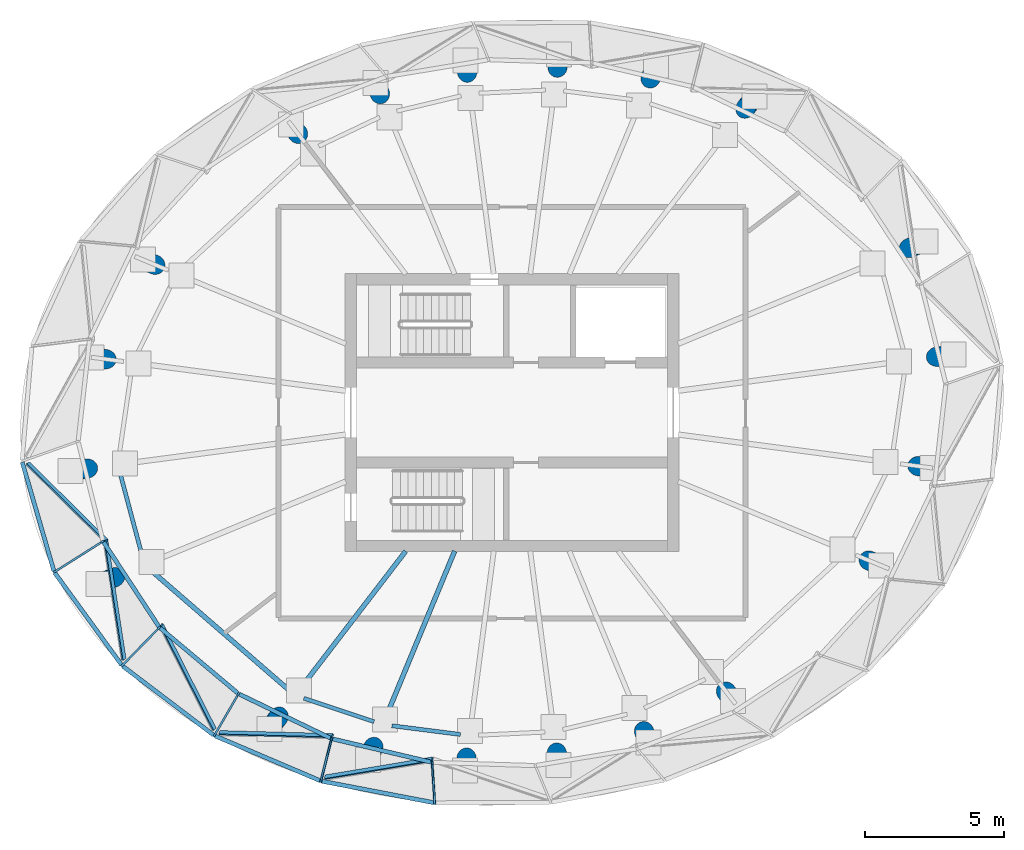
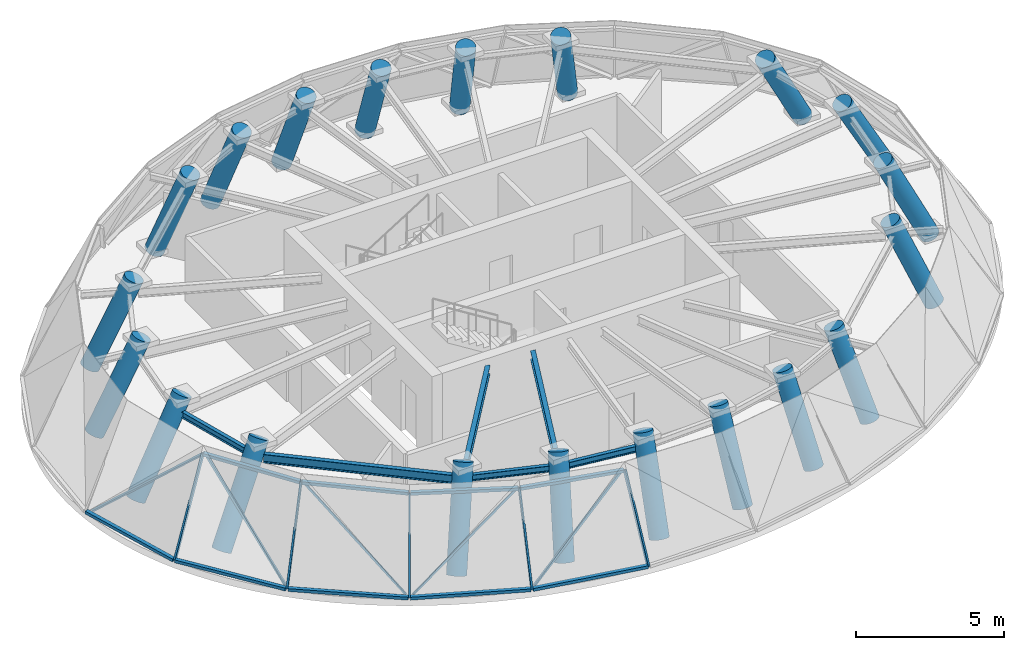
# One storey, part 1 of 9: 20 columns, 19 members, 6 beams, 10 elements without a shape of their own.
"""IFC4 building model written with IfcOpenShell, lengths in metres."""

import ifcopenshell
import ifcopenshell.guid

model = None  # the IFC model being written
_history = None  # IfcOwnerHistory: only IFC2X3 demands one
_inside = {}  # id of a spatial element -> (the spatial element, [elements in it])
_under = {}  # id of a project, library or spatial element -> (it, [spatial elements below it])
_declared = {}  # id of a project -> (the project, [libraries it declares])
_typed = {}  # id of a type object -> (the type object, [elements of that type])
_made_of = {}  # id of a material, layer set ... -> (it, [elements and type objects made of it])


def new_model(schema):
    """Start an empty IFC model of exactly this schema.

    Asked for "IFC4X3", IfcOpenShell would pick the latest addendum, in which some entities
    have other attributes; the version numbers below select the first issue.
    IFC2X3 requires an IfcOwnerHistory on every rooted entity: one is made here for all.
    """
    global model, _history
    if schema == "IFC4X3":
        model = ifcopenshell.file(schema_version=(4, 3, 0, 0))
    else:
        model = ifcopenshell.file(schema=schema)
    _inside.clear()
    _under.clear()
    _declared.clear()
    _typed.clear()
    _made_of.clear()
    _history = None
    if model.schema == "IFC2X3":
        org = make("IfcOrganization", Name="unknown")
        user = make(
            "IfcPersonAndOrganization",
            ThePerson=make("IfcPerson", FamilyName="unknown"),
            TheOrganization=org,
        )
        app = make(
            "IfcApplication",
            ApplicationDeveloper=org,
            Version="unknown",
            ApplicationFullName="unknown",
            ApplicationIdentifier="unknown",
        )
        _history = make(
            "IfcOwnerHistory",
            OwningUser=user,
            OwningApplication=app,
            ChangeAction="ADDED",
            CreationDate=0,
        )
    return model


def make(cls, **values):
    """One entity of the class cls with the attributes given. An attribute that is None is left unset."""
    return model.create_entity(
        cls, **{name: value for name, value in values.items() if value is not None}
    )


def rooted(cls, **values):
    """An entity with a GlobalId (a new one), such as an element, a storey or a relation."""
    return make(cls, GlobalId=ifcopenshell.guid.new(), OwnerHistory=_history, **values)


def si_unit(unit_type, name, prefix=None):
    """IfcSIUnit, for example si_unit("LENGTHUNIT", "METRE", prefix="MILLI")."""
    return make("IfcSIUnit", UnitType=unit_type, Prefix=prefix, Name=name)


def assignment(units):
    """IfcUnitAssignment: the units of a project."""
    return None if units is None else make("IfcUnitAssignment", Units=units)


def point(xyz):
    """IfcCartesianPoint."""
    return None if xyz is None else make("IfcCartesianPoint", Coordinates=xyz)


def direction(xyz):
    """IfcDirection."""
    return None if xyz is None else make("IfcDirection", DirectionRatios=xyz)


def frame(location, z_axis=None, x_axis=None):
    """IfcAxis2Placement3D, a coordinate frame: its origin and axes. An axis left out is left unset."""
    return make(
        "IfcAxis2Placement3D",
        Location=point(location),
        Axis=direction(z_axis),
        RefDirection=direction(x_axis),
    )


def frame_2d(location, x_axis=None):
    """IfcAxis2Placement2D, a coordinate frame in the plane: its origin and x axis."""
    return make(
        "IfcAxis2Placement2D", Location=point(location), RefDirection=direction(x_axis)
    )


def origin():
    """The frame at (0, 0, 0) with its axes left unset."""
    return frame((0.0, 0.0, 0.0))


def origin_2d():
    """The frame at (0, 0) in the plane with its x axis left unset."""
    return frame_2d((0.0, 0.0))


def place(relative_to, where):
    """IfcLocalPlacement: puts the frame where relative to a parent placement (None: the world)."""
    return make(
        "IfcLocalPlacement", PlacementRelTo=relative_to, RelativePlacement=where
    )


def context(
    kind, dimensions, precision=None, world=None, true_north=None, identifier=None
):
    """IfcGeometricRepresentationContext, for example the 3D "Model" context."""
    return make(
        "IfcGeometricRepresentationContext",
        ContextIdentifier=identifier,
        ContextType=kind,
        CoordinateSpaceDimension=dimensions,
        Precision=precision,
        WorldCoordinateSystem=world,
        TrueNorth=true_north,
    )


def subcontext(parent, identifier, kind, view, scale=None):
    """IfcGeometricRepresentationSubContext, for example "Body" below "Model"."""
    return make(
        "IfcGeometricRepresentationSubContext",
        ContextIdentifier=identifier,
        ContextType=kind,
        ParentContext=parent,
        TargetScale=scale,
        TargetView=view,
    )


def project(units=None, contexts=None):
    """IfcProject with its units and contexts."""
    return rooted(
        "IfcProject",
        Name="project",
        RepresentationContexts=contexts,
        UnitsInContext=assignment(units),
    )


def spatial(cls, under=None, at=None, **own):
    """A site, building, storey or space (cls), placed at a placement, below another one or the project."""
    s = rooted(cls, ObjectPlacement=at, **own)
    if under is not None:
        _under.setdefault(under.id(), (under, []))[1].append(s)
    return s


def profile(cls, at=None, kind="AREA", **sizes):
    """A parametric profile (cls). Its sizes go by their IFC names, for example OverallWidth=200.0."""
    return make(cls, ProfileType=kind, Position=at, **sizes)


def rectangle(**sizes):
    """IfcRectangleProfileDef."""
    return profile("IfcRectangleProfileDef", **sizes)


def circle(**sizes):
    """IfcCircleProfileDef."""
    return profile("IfcCircleProfileDef", **sizes)


def i_section(**sizes):
    """IfcIShapeProfileDef."""
    return profile("IfcIShapeProfileDef", **sizes)


def extrude(swept, where, along, depth):
    """IfcExtrudedAreaSolid: the profile swept, set in the frame where, extruded along a direction by depth."""
    return make(
        "IfcExtrudedAreaSolid",
        SweptArea=swept,
        Position=where,
        ExtrudedDirection=direction(along),
        Depth=depth,
    )


def shape(context_of_items, identifier, shape_type, items):
    """IfcShapeRepresentation: the items that make up one representation, for example the "Body"."""
    return make(
        "IfcShapeRepresentation",
        ContextOfItems=context_of_items,
        RepresentationIdentifier=identifier,
        RepresentationType=shape_type,
        Items=items,
    )


def source(mapping_origin, context_of_items, identifier, shape_type, items):
    """IfcRepresentationMap: a shape defined once, which mapped items show again and again."""
    return make(
        "IfcRepresentationMap",
        MappingOrigin=mapping_origin,
        MappedRepresentation=shape(context_of_items, identifier, shape_type, items),
    )


def transform(
    local_origin,
    x_axis=None,
    y_axis=None,
    z_axis=None,
    scale=None,
    scale2=None,
    scale3=None,
    uniform=True,
):
    """IfcCartesianTransformationOperator3D, or its non-uniform kind. x_axis, y_axis, z_axis: its Axis1, 2, 3."""
    if uniform:
        return make(
            "IfcCartesianTransformationOperator3D",
            Axis1=direction(x_axis),
            Axis2=direction(y_axis),
            LocalOrigin=point(local_origin),
            Scale=scale,
            Axis3=direction(z_axis),
        )
    return make(
        "IfcCartesianTransformationOperator3DnonUniform",
        Axis1=direction(x_axis),
        Axis2=direction(y_axis),
        LocalOrigin=point(local_origin),
        Scale=scale,
        Axis3=direction(z_axis),
        Scale2=scale2,
        Scale3=scale3,
    )


def mapped(mapping_source, mapping_target):
    """IfcMappedItem: shows the shape of a source again, moved by a transform."""
    return make(
        "IfcMappedItem", MappingSource=mapping_source, MappingTarget=mapping_target
    )


def material(Name=None, Category=None):
    """IfcMaterial."""
    return make("IfcMaterial", Name=Name, Category=Category)


def layer(
    of_material, thickness, ventilated=None, Name=None, Category=None, Priority=None
):
    """IfcMaterialLayer: one layer of a wall or slab, of a material (None: an air gap)."""
    return make(
        "IfcMaterialLayer",
        Material=of_material,
        LayerThickness=thickness,
        IsVentilated=ventilated,
        Name=Name,
        Category=Category,
        Priority=Priority,
    )


def layer_set(layers, Name=None):
    """IfcMaterialLayerSet."""
    return make("IfcMaterialLayerSet", MaterialLayers=layers, LayerSetName=Name)


def material_profile(
    of_material, cross_section, Name=None, Category=None, Priority=None
):
    """IfcMaterialProfile: a cross section and its material."""
    return make(
        "IfcMaterialProfile",
        Name=Name,
        Material=of_material,
        Profile=cross_section,
        Priority=Priority,
        Category=Category,
    )


def profile_set(profiles, Name=None, composite=None):
    """IfcMaterialProfileSet."""
    return make(
        "IfcMaterialProfileSet",
        Name=Name,
        MaterialProfiles=profiles,
        CompositeProfile=composite,
    )


def made_of(thing, what):
    """Note that an element or type object is made of a material, layer set ...; save() writes the relation."""
    if what is not None:
        _made_of.setdefault(what.id(), (what, []))[1].append(thing)
    return thing


def type_object(cls, material=None, **own):
    """A type object (cls), such as IfcWallType, which elements share."""
    return made_of(rooted(cls, **own), material)


def element(
    cls,
    number,
    at=None,
    inside=None,
    cuts=None,
    type_object=None,
    material=None,
    context=None,
    identifier="Body",
    shape_type=None,
    held_by="IfcProductDefinitionShape",
    body=None,
    shapes=None,
    **own,
):
    """One element of the class cls, such as IfcWall. Its Tag is "e" and its number.

    at: its placement. inside: the storey or other place that contains it. cuts: it is an
    opening in that element (IfcRelVoidsElement). A single representation is given by context,
    identifier, shape_type and body (its items); several are given by shapes. held_by: the class
    of the entity that holds the representations. save() writes the other relations.
    """
    e = rooted(cls, Tag="e%d" % number, ObjectPlacement=at, **own)
    if body is not None:
        shapes = [shape(context, identifier, shape_type, body)]
    if shapes is not None:
        e.Representation = make(held_by, Representations=shapes)
    if inside is not None:
        _inside.setdefault(inside.id(), (inside, []))[1].append(e)
    if cuts is not None:
        rooted(
            "IfcRelVoidsElement", RelatingBuildingElement=cuts, RelatedOpeningElement=e
        )
    if type_object is not None:
        _typed.setdefault(type_object.id(), (type_object, []))[1].append(e)
    return made_of(e, material)


def aggregate(whole, parts):
    """IfcRelAggregates: a whole, such as a stair, and the parts it consists of."""
    return rooted("IfcRelAggregates", RelatingObject=whole, RelatedObjects=parts)


def save(model, path):
    """Write the relations noted so far, then the file.

    IfcRelAggregates (storeys below a building ...), IfcRelContainedInSpatialStructure (elements
    in a storey), IfcRelDefinesByType, IfcRelAssociatesMaterial and IfcRelDeclares: one each for
    every whole, place, type object, material and project.
    """
    for whole, parts in _under.values():
        aggregate(whole, parts)
    for where, things in _inside.values():
        rooted(
            "IfcRelContainedInSpatialStructure",
            RelatedElements=things,
            RelatingStructure=where,
        )
    for kind, things in _typed.values():
        rooted("IfcRelDefinesByType", RelatedObjects=things, RelatingType=kind)
    for what, things in _made_of.values():
        rooted("IfcRelAssociatesMaterial", RelatedObjects=things, RelatingMaterial=what)
    for by, libraries in _declared.values():
        rooted("IfcRelDeclares", RelatingContext=by, RelatedDefinitions=libraries)
    model.write(path)


model = new_model("IFC4")

# Units and contexts
model_context = context("Model", 3, precision=1e-05, world=origin(), true_north=direction((0.0, 1.0)))
body_context = subcontext(model_context, "Body", "Model", "MODEL_VIEW")
ifc_project = project(units=[si_unit("LENGTHUNIT", "METRE"), si_unit("AREAUNIT", "SQUARE_METRE"), si_unit("VOLUMEUNIT", "CUBIC_METRE"), si_unit("PLANEANGLEUNIT", "RADIAN"), si_unit("MASSUNIT", "GRAM", prefix="KILO")], contexts=[model_context])

# Site, building, storey
site_placement = place(None, origin())
site = spatial("IfcSite", under=ifc_project, at=site_placement, CompositionType="ELEMENT")
building_placement = place(site_placement, origin())
building = spatial("IfcBuilding", under=site, at=building_placement, Name="Spindrift Exchange Tower", CompositionType="ELEMENT")
storey_placement = place(building_placement, frame((0.0, 0.0, 276.60009765625)))
storey = spatial("IfcBuildingStorey", under=building, at=storey_placement, Name="L68", CompositionType="ELEMENT", Elevation=276.60009765625)

# Columns
ifc_material_1 = material(Name="Concrete 40 MPa", Category="concrete")
ifc_material_profile_1 = material_profile(ifc_material_1, circle(Radius=0.35009765625, at=origin_2d()), Name="RC D700")
ifc_profile_set_1 = profile_set([ifc_material_profile_1], Name="Concrete 40 MPa")
column_type = type_object("IfcColumnType", Name="RC Perimeter Column D700 Concrete 40 MPa", PredefinedType="COLUMN", material=ifc_profile_set_1)
shared_shape_1 = source(origin(), body_context, "Body", "SweptSolid", [
    extrude(circle(Radius=0.35009765625, at=origin_2d()), origin(), (0.0, 0.0, 1.0), 4.014404296875),
])
for number, where, z_axis, x_axis, name in (
    (1, (67.87890625, 50.090576171875, 0.17431640625), (-0.48560488086, -0.063916184068, 0.871838643958), (0.13049626669, -0.991448800685, 0.0), "Perimeter column P6-01 L68"),
    (2, (36.12109375, 45.909423828125, 0.17431640625), (0.48560488086, 0.063916184068, 0.871838643958), (-0.13049626669, 0.991448800685, 0.0), "Perimeter column P6-13 L68"),
):
    element("IfcColumn", number, at=place(storey_placement, frame(where, z_axis=z_axis, x_axis=x_axis)), inside=storey, type_object=column_type, Name=name, PredefinedType="COLUMN", context=body_context, shape_type="MappedRepresentation", body=[
        mapped(shared_shape_1, transform((0.0, 0.0, 0.0), scale=1.0)),
    ])
shared_shape_2 = source(origin(), body_context, "Body", "SweptSolid", [
    extrude(circle(Radius=0.35009765625, at=origin_2d()), origin(), (0.0, 0.0, 1.0), 3.907958984375),
])
for number, where, z_axis, x_axis, name in (
    (3, (60.730224609375, 59.37744140625, 0.15869140625), (-0.270812901307, -0.352962604933, 0.895587947666), (0.793380296063, -0.608726297953, 0.0), "Perimeter column P6-04 L68"),
    (4, (43.269775390625, 36.62255859375, 0.15869140625), (0.270812901307, 0.352962604933, 0.895587947666), (-0.793380296063, 0.608726297953, 0.0), "Perimeter column P6-16 L68"),
):
    element("IfcColumn", number, at=place(storey_placement, frame(where, z_axis=z_axis, x_axis=x_axis)), inside=storey, type_object=column_type, Name=name, PredefinedType="COLUMN", context=body_context, shape_type="MappedRepresentation", body=[
        mapped(shared_shape_2, transform((0.0, 0.0, 0.0), scale=1.0)),
    ])
shared_shape_3 = source(origin(), body_context, "Body", "SweptSolid", [
    extrude(circle(Radius=0.35009765625, at=origin_2d()), origin(), (0.0, 0.0, 1.0), 3.784423828125),
])
for number, where, z_axis, x_axis, name in (
    (5, (53.6953125, 60.877197265625, 0.135986328125), (-0.049674543277, -0.377074942147, 0.924849678464), (0.99143407694, -0.130608081992, 0.0), "Perimeter column P6-06 L68"),
    (6, (50.3046875, 35.122802734375, 0.135986328125), (0.049674543277, 0.377074942147, 0.924849678464), (-0.99143407694, 0.130608081992, 0.0), "Perimeter column P6-18 L68"),
):
    element("IfcColumn", number, at=place(storey_placement, frame(where, z_axis=z_axis, x_axis=x_axis)), inside=storey, type_object=column_type, Name=name, PredefinedType="COLUMN", context=body_context, shape_type="MappedRepresentation", body=[
        mapped(shared_shape_3, transform((0.0, 0.0, 0.0), scale=1.0)),
    ])
shared_shape_4 = source(origin(), body_context, "Body", "SweptSolid", [
    extrude(circle(Radius=0.35009765625, at=origin_2d()), origin(), (0.0, 0.0, 1.0), 3.75927734375),
])
for number, where, z_axis, x_axis, name in (
    (7, (50.331298828125, 60.676025390625, 0.130615234375), (0.047605122797, -0.361746976777, 0.93106008242), (0.991451871974, 0.130472930369, 0.0), "Perimeter column P6-07 L68"),
    (8, (53.668701171875, 35.323974609375, 0.130615234375), (-0.047605122797, 0.361746976777, 0.93106008242), (-0.991451871974, -0.130472930369, 0.0), "Perimeter column P6-19 L68"),
):
    element("IfcColumn", number, at=place(storey_placement, frame(where, z_axis=z_axis, x_axis=x_axis)), inside=storey, type_object=column_type, Name=name, PredefinedType="COLUMN", context=body_context, shape_type="MappedRepresentation", body=[
        mapped(shared_shape_4, transform((0.0, 0.0, 0.0), scale=1.0)),
    ])
shared_shape_5 = source(origin(), body_context, "Body", "SweptSolid", [
    extrude(circle(Radius=0.35009765625, at=origin_2d()), origin(), (0.0, 0.0, 1.0), 3.746826171875),
])
for number, where, z_axis, x_axis, name in (
    (9, (47.086181640625, 59.863037109375, 0.127685546875), (0.136577604612, -0.329715018769, 0.934149112464), (0.923874408562, 0.38269580244, 0.0), "Perimeter column P6-08 L68"),
    (10, (56.913818359375, 36.136962890625, 0.127685546875), (-0.136577604612, 0.329715018769, 0.934149112464), (-0.923874408562, -0.38269580244, 0.0), "Perimeter column P6-20 L68"),
):
    element("IfcColumn", number, at=place(storey_placement, frame(where, z_axis=z_axis, x_axis=x_axis)), inside=storey, type_object=column_type, Name=name, PredefinedType="COLUMN", context=body_context, shape_type="MappedRepresentation", body=[
        mapped(shared_shape_5, transform((0.0, 0.0, 0.0), scale=1.0)),
    ])
shared_shape_6 = source(origin(), body_context, "Body", "SweptSolid", [
    extrude(circle(Radius=0.35009765625, at=origin_2d()), origin(), (0.0, 0.0, 1.0), 3.73876953125),
])
for number, where, z_axis, x_axis, name in (
    (11, (44.04443359375, 58.367919921875, 0.1259765625), (0.21405361087, -0.278961874812, 0.936141722217), (0.793355214176, 0.608758986907, 0.0), "Perimeter column P6-09 L68"),
    (12, (59.95556640625, 37.632080078125, 0.1259765625), (-0.21405361087, 0.278961874812, 0.936141722217), (-0.793355214176, -0.608758986907, 0.0), "Perimeter column P6-21 L68"),
):
    element("IfcColumn", number, at=place(storey_placement, frame(where, z_axis=z_axis, x_axis=x_axis)), inside=storey, type_object=column_type, Name=name, PredefinedType="COLUMN", context=body_context, shape_type="MappedRepresentation", body=[
        mapped(shared_shape_6, transform((0.0, 0.0, 0.0), scale=1.0)),
    ])
shared_shape_7 = source(origin(), body_context, "Body", "SweptSolid", [
    extrude(circle(Radius=0.35009765625, at=origin_2d()), origin(), (0.0, 0.0, 1.0), 3.807373046875),
])
for number, where, z_axis, x_axis, name in (
    (13, (38.717529296875, 53.501708984375, 0.140625), (0.363645996148, -0.150626775693, 0.919278610613), (0.382682721486, 0.923879826967, 0.0), "Perimeter column P6-11 L68"),
    (14, (65.282470703125, 42.498291015625, 0.140625), (-0.363645996148, 0.150626775693, 0.919278610613), (-0.382682721486, -0.923879826967, 0.0), "Perimeter column P6-23 L68"),
):
    element("IfcColumn", number, at=place(storey_placement, frame(where, z_axis=z_axis, x_axis=x_axis)), inside=storey, type_object=column_type, Name=name, PredefinedType="COLUMN", context=body_context, shape_type="MappedRepresentation", body=[
        mapped(shared_shape_7, transform((0.0, 0.0, 0.0), scale=1.0)),
    ])
shared_shape_8 = source(origin(), body_context, "Body", "SweptSolid", [
    extrude(circle(Radius=0.35009765625, at=origin_2d()), origin(), (0.0, 0.0, 1.0), 3.898193359375),
])
for number, where, z_axis, x_axis, name in (
    (15, (36.863525390625, 49.99267578125, 0.156982421875), (0.436578084577, -0.057429651923, 0.897831504876), (0.130421400619, 0.991458651816, 0.0), "Perimeter column P6-12 L68"),
    (16, (67.136474609375, 46.00732421875, 0.156982421875), (-0.436578084577, 0.057429651923, 0.897831504876), (-0.130421400619, -0.991458651816, 0.0), "Perimeter column P6-24 L68"),
):
    element("IfcColumn", number, at=place(storey_placement, frame(where, z_axis=z_axis, x_axis=x_axis)), inside=storey, type_object=column_type, Name=name, PredefinedType="COLUMN", context=body_context, shape_type="MappedRepresentation", body=[
        mapped(shared_shape_8, transform((0.0, 0.0, 0.0), scale=1.0)),
    ])
shared_shape_9 = source(origin(), body_context, "Body", "SweptSolid", [
    extrude(circle(Radius=0.35009765625, at=origin_2d()), origin(), (0.0, 0.0, 1.0), 4.069580078125),
])
for number, where, z_axis, x_axis, name in (
    (17, (66.88330078125, 54.164794921875, 0.181396484375), (-0.471365631204, -0.195217483001, 0.86006079788), (0.382635660379, -0.923899318869, 0.0), "Perimeter column P6-02 L68"),
    (18, (37.11669921875, 41.835205078125, 0.181396484375), (0.471365631204, 0.195217483001, 0.86006079788), (-0.382635660379, 0.923899318869, 0.0), "Perimeter column P6-14 L68"),
):
    element("IfcColumn", number, at=place(storey_placement, frame(where, z_axis=z_axis, x_axis=x_axis)), inside=storey, type_object=column_type, Name=name, PredefinedType="COLUMN", context=body_context, shape_type="MappedRepresentation", body=[
        mapped(shared_shape_9, transform((0.0, 0.0, 0.0), scale=1.0)),
    ])
shared_shape_10 = source(origin(), body_context, "Body", "SweptSolid", [
    extrude(circle(Radius=0.35009765625, at=origin_2d()), origin(), (0.0, 0.0, 1.0), 3.833740234375),
])
for number, where, z_axis, x_axis, name in (
    (19, (57.174560546875, 60.4921875, 0.145751953125), (-0.156215845153, -0.376943166515, 0.912967939712), (0.923809441409, -0.382852603443, 0.0), "Perimeter column P6-05 L68"),
    (20, (46.825439453125, 35.5078125, 0.145751953125), (0.156215845153, 0.376943166515, 0.912967939712), (-0.923809441409, 0.382852603443, 0.0), "Perimeter column P6-17 L68"),
):
    element("IfcColumn", number, at=place(storey_placement, frame(where, z_axis=z_axis, x_axis=x_axis)), inside=storey, type_object=column_type, Name=name, PredefinedType="COLUMN", context=body_context, shape_type="MappedRepresentation", body=[
        mapped(shared_shape_10, transform((0.0, 0.0, 0.0), scale=1.0)),
    ])

# Beams
ifc_material_2 = material(Name="Steel Grade 300", Category="steel")
ifc_material_profile_2 = material_profile(ifc_material_2, i_section(OverallWidth=0.172119140625, OverallDepth=0.35888671875, WebThickness=0.008056640625, FlangeThickness=0.012939453125, FilletRadius=0.013916015625, at=origin_2d()), Name="360UB56.7")
ifc_profile_set_2 = profile_set([ifc_material_profile_2], Name="Steel Grade 300")
beam_type_1 = type_object("IfcBeamType", Name="Floor Beam 360UB56.7 Steel Grade 300", PredefinedType="BEAM", material=ifc_profile_set_2)
shared_shape_11 = source(origin(), body_context, "Body", "SweptSolid", [
    extrude(i_section(OverallWidth=0.172119140625, OverallDepth=0.35888671875, WebThickness=0.008056640625, FlangeThickness=0.012939453125, FilletRadius=0.013916015625, at=origin_2d()), origin(), (0.0, 0.0, 1.0), 6.207763671875),
])
beam_1_placement = place(storey_placement, frame((48.175537109375, 43.015869140625, 3.040283203125), z_axis=(-0.608754316666, -0.793358797733, 0.0), x_axis=(0.793358797733, -0.608754316666, 0.0)))
element("IfcBeam", 21, at=beam_1_placement, inside=storey, type_object=beam_type_1, Name="L68 radial beam R16A", PredefinedType="BEAM", context=body_context, shape_type="MappedRepresentation", body=[
    mapped(shared_shape_11, transform((0.0, 0.0, 0.0), scale=1.0)),
])
shared_shape_12 = source(origin(), body_context, "Body", "SweptSolid", [
    extrude(i_section(OverallWidth=0.172119140625, OverallDepth=0.35888671875, WebThickness=0.008056640625, FlangeThickness=0.012939453125, FilletRadius=0.013916015625, at=origin_2d()), origin(), (0.0, 0.0, 1.0), 6.425537109375),
])
beam_2_placement = place(storey_placement, frame((49.9365234375, 43.0185546875, 3.040283203125), z_axis=(-0.382682881608, -0.923879760642, 0.0), x_axis=(0.923879760642, -0.382682881608, 0.0)))
element("IfcBeam", 22, at=beam_2_placement, inside=storey, type_object=beam_type_1, Name="L68 radial beam R17A", PredefinedType="BEAM", context=body_context, shape_type="MappedRepresentation", body=[
    mapped(shared_shape_12, transform((0.0, 0.0, 0.0), scale=1.0)),
])
ifc_material_profile_3 = material_profile(ifc_material_2, i_section(OverallWidth=0.14599609375, OverallDepth=0.251953125, WebThickness=0.006103515625, FlangeThickness=0.008544921875, FilletRadius=0.011962890625, at=origin_2d()), Name="250UB31.4")
ifc_profile_set_3 = profile_set([ifc_material_profile_3], Name="Steel Grade 300")
beam_type_2 = type_object("IfcBeamType", Name="Edge Beam 250UB31.4 Steel Grade 300", PredefinedType="SPANDREL", material=ifc_profile_set_3)
shared_shape_13 = source(origin(), body_context, "Body", "SweptSolid", [
    extrude(i_section(OverallWidth=0.14599609375, OverallDepth=0.251953125, WebThickness=0.006103515625, FlangeThickness=0.008544921875, FilletRadius=0.011962890625, at=origin_2d()), origin(), (0.0, 0.0, 1.0), 3.074462890625),
])
beam_3_placement = place(storey_placement, frame((37.902587890625, 45.81396484375, 3.093994140625), z_axis=(0.258235926839, -0.96608188374, 0.0), x_axis=(0.96608188374, 0.258235926839, 0.0)))
element("IfcBeam", 23, at=beam_3_placement, inside=storey, type_object=beam_type_2, Name="L68 edge beam E13", PredefinedType="SPANDREL", context=body_context, shape_type="MappedRepresentation", body=[
    mapped(shared_shape_13, transform((0.0, 0.0, 0.0), scale=1.0)),
])
ifc_material_profile_4 = material_profile(ifc_material_2, i_section(OverallWidth=0.172119140625, OverallDepth=0.35888671875, WebThickness=0.008056640625, FlangeThickness=0.012939453125, FilletRadius=0.013916015625, at=origin_2d()), Name="360UB56.7")
ifc_profile_set_4 = profile_set([ifc_material_profile_4], Name="Steel Grade 300")
beam_type_3 = type_object("IfcBeamType", Name="Edge Beam 360UB56.7 Steel Grade 300", PredefinedType="SPANDREL", material=ifc_profile_set_4)
shared_shape_14 = source(origin(), body_context, "Body", "SweptSolid", [
    extrude(i_section(OverallWidth=0.172119140625, OverallDepth=0.35888671875, WebThickness=0.008056640625, FlangeThickness=0.012939453125, FilletRadius=0.013916015625, at=origin_2d()), origin(), (0.0, 0.0, 1.0), 6.506591796875),
])
beam_4_placement = place(storey_placement, frame((39.031005859375, 42.30859375, 3.040283203125), z_axis=(0.755421607244, -0.655239036771, 0.0), x_axis=(0.655239036771, 0.755421607244, 0.0)))
element("IfcBeam", 24, at=beam_4_placement, inside=storey, type_object=beam_type_3, Name="L68 edge beam E14", PredefinedType="SPANDREL", context=body_context, shape_type="MappedRepresentation", body=[
    mapped(shared_shape_14, transform((0.0, 0.0, 0.0), scale=1.0)),
])
shared_shape_15 = source(origin(), body_context, "Body", "SweptSolid", [
    extrude(i_section(OverallWidth=0.14599609375, OverallDepth=0.251953125, WebThickness=0.006103515625, FlangeThickness=0.008544921875, FilletRadius=0.011962890625, at=origin_2d()), origin(), (0.0, 0.0, 1.0), 2.666748046875),
])
beam_5_placement = place(storey_placement, frame((44.508544921875, 37.724609375, 3.093994140625), z_axis=(0.948683298051, -0.316227766017, 0.0), x_axis=(0.316227766017, 0.948683298051, 0.0)))
element("IfcBeam", 25, at=beam_5_placement, inside=storey, type_object=beam_type_2, Name="L68 edge beam E16", PredefinedType="SPANDREL", context=body_context, shape_type="MappedRepresentation", body=[
    mapped(shared_shape_15, transform((0.0, 0.0, 0.0), scale=1.0)),
])
shared_shape_16 = source(origin(), body_context, "Body", "SweptSolid", [
    extrude(i_section(OverallWidth=0.14599609375, OverallDepth=0.251953125, WebThickness=0.006103515625, FlangeThickness=0.008544921875, FilletRadius=0.011962890625, at=origin_2d()), origin(), (0.0, 0.0, 1.0), 2.48388671875),
])
beam_6_placement = place(storey_placement, frame((47.6787109375, 36.7353515625, 3.093994140625), z_axis=(0.992004848467, -0.126199764731, 0.0), x_axis=(0.126199764731, 0.992004848467, 0.0)))
element("IfcBeam", 26, at=beam_6_placement, inside=storey, type_object=beam_type_2, Name="L68 edge beam E17", PredefinedType="SPANDREL", context=body_context, shape_type="MappedRepresentation", body=[
    mapped(shared_shape_16, transform((0.0, 0.0, 0.0), scale=1.0)),
])

# Curtain wall, member
ifc_material_3 = material(Name="Fritted laminated glass with bronze frame", Category="glass")
ifc_layer = layer(ifc_material_3, 0.14990234375)
ifc_layer_set = layer_set([ifc_layer], Name="CROWN BRONZE RAKED GLAZED WALL")
curtain_wall_type = type_object("IfcCurtainWallType", Name="CROWN BRONZE RAKED GLAZED WALL", PredefinedType="NOTDEFINED", material=ifc_layer_set)
curtain_wall_1_placement = place(storey_placement, origin())
curtain_wall_1 = element("IfcCurtainWall", 27, at=curtain_wall_1_placement, inside=storey, type_object=curtain_wall_type, Name="L68 Crown Bronze Raked Glazed Wall facet 25", PredefinedType="NOTDEFINED")
ifc_material_4 = material(Name="Bronze anodised aluminium", Category="aluminium")
ifc_material_profile_5 = material_profile(ifc_material_4, rectangle(XDim=0.14990234375, YDim=0.1201171875, at=origin_2d()), Name="CROWN BRONZE RAKED GLAZED WALL TRANSOM 150X120")
ifc_profile_set_5 = profile_set([ifc_material_profile_5], Name="Bronze anodised aluminium")
member_type_1 = type_object("IfcMemberType", Name="CROWN BRONZE RAKED GLAZED WALL TRANSOM 150X120", PredefinedType="USERDEFINED", material=ifc_profile_set_5)
shared_shape_17 = source(origin(), body_context, "Body", "SweptSolid", [
    extrude(rectangle(XDim=0.14990234375, YDim=0.1201171875, at=origin_2d()), origin(), (0.0, 0.0, 1.0), 4.083740234375),
])
member_1_placement = place(storey_placement, frame((34.38037109375, 46.218505859375, 0.059814453125), z_axis=(0.279187231676, -0.960236684193, 0.0), x_axis=(0.960236684193, 0.279187231676, 0.0)))
member_1 = element("IfcMember", 28, at=member_1_placement, type_object=member_type_1, Name="L68 transom CW-R.13a", ObjectType="TRANSOM", PredefinedType="USERDEFINED", context=body_context, shape_type="MappedRepresentation", body=[
    mapped(shared_shape_17, transform((0.0, 0.0, 0.0), scale=1.0)),
])

curtain_wall_2_placement = place(storey_placement, origin())
curtain_wall_2 = element("IfcCurtainWall", 29, at=curtain_wall_2_placement, inside=storey, type_object=curtain_wall_type, Name="L68 Crown Bronze Raked Glazed Wall facet 27", PredefinedType="NOTDEFINED")
shared_shape_18 = source(origin(), body_context, "Body", "SweptSolid", [
    extrude(rectangle(XDim=0.14990234375, YDim=0.1201171875, at=origin_2d()), origin(), (0.0, 0.0, 1.0), 4.0888671875),
])
member_2_placement = place(storey_placement, frame((37.9521484375, 38.92578125, 0.059814453125), z_axis=(-0.587305084769, 0.809365638883, 0.0), x_axis=(-0.809365638883, -0.587305084769, 0.0)))
member_2 = element("IfcMember", 30, at=member_2_placement, type_object=member_type_1, Name="L68 transom CW-R.14a", ObjectType="TRANSOM", PredefinedType="USERDEFINED", context=body_context, shape_type="MappedRepresentation", body=[
    mapped(shared_shape_18, transform((0.0, 0.0, 0.0), scale=1.0)),
])

curtain_wall_3_placement = place(storey_placement, origin())
curtain_wall_3 = element("IfcCurtainWall", 31, at=curtain_wall_3_placement, inside=storey, type_object=curtain_wall_type, Name="L68 Crown Bronze Raked Glazed Wall facet 29", PredefinedType="NOTDEFINED")
shared_shape_19 = source(origin(), body_context, "Body", "SweptSolid", [
    extrude(rectangle(XDim=0.14990234375, YDim=0.1201171875, at=origin_2d()), origin(), (0.0, 0.0, 1.0), 4.09423828125),
])
member_3_placement = place(storey_placement, frame((41.262451171875, 36.40185546875, 0.059814453125), z_axis=(-0.796718002417, 0.604351242759, 0.0), x_axis=(-0.604351242759, -0.796718002417, 0.0)))
member_3 = element("IfcMember", 32, at=member_3_placement, type_object=member_type_1, Name="L68 transom CW-R.15a", ObjectType="TRANSOM", PredefinedType="USERDEFINED", context=body_context, shape_type="MappedRepresentation", body=[
    mapped(shared_shape_19, transform((0.0, 0.0, 0.0), scale=1.0)),
])

curtain_wall_4_placement = place(storey_placement, origin())
curtain_wall_4 = element("IfcCurtainWall", 33, at=curtain_wall_4_placement, inside=storey, type_object=curtain_wall_type, Name="L68 Crown Bronze Raked Glazed Wall facet 31", PredefinedType="NOTDEFINED")
shared_shape_20 = source(origin(), body_context, "Body", "SweptSolid", [
    extrude(rectangle(XDim=0.14990234375, YDim=0.1201171875, at=origin_2d()), origin(), (0.0, 0.0, 1.0), 4.097900390625),
])
member_4_placement = place(storey_placement, frame((41.322509765625, 36.366943359375, 0.059814453125), z_axis=(0.91998419877, -0.391955449016, 0.0), x_axis=(0.391955449016, 0.91998419877, 0.0)))
member_4 = element("IfcMember", 34, at=member_4_placement, type_object=member_type_1, Name="L68 transom CW-R.16a", ObjectType="TRANSOM", PredefinedType="USERDEFINED", context=body_context, shape_type="MappedRepresentation", body=[
    mapped(shared_shape_20, transform((0.0, 0.0, 0.0), scale=1.0)),
])

curtain_wall_5_placement = place(storey_placement, origin())
curtain_wall_5 = element("IfcCurtainWall", 35, at=curtain_wall_5_placement, inside=storey, type_object=curtain_wall_type, Name="L68 Crown Bronze Raked Glazed Wall facet 33", PredefinedType="NOTDEFINED")
shared_shape_21 = source(origin(), body_context, "Body", "SweptSolid", [
    extrude(rectangle(XDim=0.14990234375, YDim=0.1201171875, at=origin_2d()), origin(), (0.0, 0.0, 1.0), 4.099609375),
])
member_5_placement = place(storey_placement, frame((45.1591796875, 34.740478515625, 0.059814453125), z_axis=(0.982054412804, -0.188597800337, 0.0), x_axis=(0.188597800337, 0.982054412804, 0.0)))
member_5 = element("IfcMember", 36, at=member_5_placement, type_object=member_type_1, Name="L68 transom CW-R.17a", ObjectType="TRANSOM", PredefinedType="USERDEFINED", context=body_context, shape_type="MappedRepresentation", body=[
    mapped(shared_shape_21, transform((0.0, 0.0, 0.0), scale=1.0)),
])

# Member
ifc_material_profile_6 = material_profile(ifc_material_4, rectangle(XDim=0.070068359375, YDim=0.14990234375, at=origin_2d()), Name="CROWN BRONZE RAKED GLAZED WALL MULLION 70X150")
ifc_profile_set_6 = profile_set([ifc_material_profile_6], Name="Bronze anodised aluminium")
member_type_2 = type_object("IfcMemberType", Name="CROWN BRONZE RAKED GLAZED WALL MULLION 70X150", PredefinedType="MULLION", material=ifc_profile_set_6)
shared_shape_22 = source(origin(), body_context, "Body", "SweptSolid", [
    extrude(rectangle(XDim=0.070068359375, YDim=0.14990234375, at=origin_2d()), origin(), (0.0, 0.0, 1.0), 5.019775390625),
])
member_6_placement = place(storey_placement, frame((34.587890625, 46.170166015625, 0.058837890625), z_axis=(0.559353128724, -0.552495569281, 0.617958512613), x_axis=(0.141915977891, 0.798311117425, 0.585285584151)))
member_6 = element("IfcMember", 37, at=member_6_placement, type_object=member_type_2, Name="L68 glazing bar CW-R.13", PredefinedType="MULLION", context=body_context, shape_type="MappedRepresentation", body=[
    mapped(shared_shape_22, transform((0.0, 0.0, 0.0), scale=1.0)),
])

aggregate(curtain_wall_1, [member_1, member_6])

# Curtain wall, member
curtain_wall_6_placement = place(storey_placement, origin())
curtain_wall_6 = element("IfcCurtainWall", 38, at=curtain_wall_6_placement, inside=storey, type_object=curtain_wall_type, Name="L68 Crown Bronze Raked Glazed Wall facet 28", PredefinedType="NOTDEFINED")
shared_shape_23 = source(origin(), body_context, "Body", "SweptSolid", [
    extrude(rectangle(XDim=0.14990234375, YDim=0.1201171875, at=origin_2d()), origin(), (0.0, 0.0, 1.0), 3.637939453125),
])
member_7_placement = place(storey_placement, frame((39.298095703125, 40.301025390625, 3.159912109375), z_axis=(-0.548100736772, 0.836412327952, 0.0), x_axis=(-0.836412327952, -0.548100736772, 0.0)))
member_7 = element("IfcMember", 39, at=member_7_placement, type_object=member_type_1, Name="L68 transom CW-R.14b", ObjectType="TRANSOM", PredefinedType="USERDEFINED", context=body_context, shape_type="MappedRepresentation", body=[
    mapped(shared_shape_23, transform((0.0, 0.0, 0.0), scale=1.0)),
])

# Member
shared_shape_24 = source(origin(), body_context, "Body", "SweptSolid", [
    extrude(rectangle(XDim=0.070068359375, YDim=0.14990234375, at=origin_2d()), origin(), (0.0, 0.0, 1.0), 3.734619140625),
])
member_8_placement = place(storey_placement, frame((35.552490234375, 42.277587890625, 0.04052734375), z_axis=(0.458010569977, 0.28960702612, 0.840448742168), x_axis=(-0.534437734804, 0.845207848767, 0.0)))
member_8 = element("IfcMember", 40, at=member_8_placement, type_object=member_type_2, Name="L68 mullion CW-R.14", PredefinedType="MULLION", context=body_context, shape_type="MappedRepresentation", body=[
    mapped(shared_shape_24, transform((0.0, 0.0, 0.0), scale=1.0)),
])

aggregate(curtain_wall_2, [member_2, member_8])

shared_shape_25 = source(origin(), body_context, "Body", "SweptSolid", [
    extrude(rectangle(XDim=0.070068359375, YDim=0.14990234375, at=origin_2d()), origin(), (0.0, 0.0, 1.0), 5.34521484375),
])
member_9_placement = place(storey_placement, frame((38.037353515625, 39.1318359375, 0.06103515625), z_axis=(-0.123731847365, 0.805513052833, 0.579516308366), x_axis=(-0.682468192286, 0.354877050855, -0.63898313381)))
member_9 = element("IfcMember", 41, at=member_9_placement, type_object=member_type_2, Name="L68 glazing bar CW-R.14", PredefinedType="MULLION", context=body_context, shape_type="MappedRepresentation", body=[
    mapped(shared_shape_25, transform((0.0, 0.0, 0.0), scale=1.0)),
])

aggregate(curtain_wall_6, [member_7, member_9])

# Curtain wall, member
curtain_wall_7_placement = place(storey_placement, origin())
curtain_wall_7 = element("IfcCurtainWall", 42, at=curtain_wall_7_placement, inside=storey, type_object=curtain_wall_type, Name="L68 Crown Bronze Raked Glazed Wall facet 30", PredefinedType="NOTDEFINED")
shared_shape_26 = source(origin(), body_context, "Body", "SweptSolid", [
    extrude(rectangle(XDim=0.14990234375, YDim=0.1201171875, at=origin_2d()), origin(), (0.0, 0.0, 1.0), 3.642333984375),
])
member_10_placement = place(storey_placement, frame((42.133544921875, 37.906982421875, 3.159912109375), z_axis=(-0.765803889802, 0.643074181074, 0.0), x_axis=(-0.643074181074, -0.765803889802, 0.0)))
member_10 = element("IfcMember", 43, at=member_10_placement, type_object=member_type_1, Name="L68 transom CW-R.15b", ObjectType="TRANSOM", PredefinedType="USERDEFINED", context=body_context, shape_type="MappedRepresentation", body=[
    mapped(shared_shape_26, transform((0.0, 0.0, 0.0), scale=1.0)),
])

# Member
shared_shape_27 = source(origin(), body_context, "Body", "SweptSolid", [
    extrude(rectangle(XDim=0.070068359375, YDim=0.14990234375, at=origin_2d()), origin(), (0.0, 0.0, 1.0), 3.660888671875),
])
member_11_placement = place(storey_placement, frame((37.98876953125, 38.913818359375, 0.038330078125), z_axis=(0.35853046748, 0.366466688765, 0.858579099393), x_axis=(-0.714804339325, 0.69932450013, 0.0)))
member_11 = element("IfcMember", 44, at=member_11_placement, type_object=member_type_2, Name="L68 mullion CW-R.15", PredefinedType="MULLION", context=body_context, shape_type="MappedRepresentation", body=[
    mapped(shared_shape_27, transform((0.0, 0.0, 0.0), scale=1.0)),
])

aggregate(curtain_wall_3, [member_3, member_11])

shared_shape_28 = source(origin(), body_context, "Body", "SweptSolid", [
    extrude(rectangle(XDim=0.070068359375, YDim=0.14990234375, at=origin_2d()), origin(), (0.0, 0.0, 1.0), 5.21923828125),
])
member_12_placement = place(storey_placement, frame((41.2880859375, 36.612060546875, 0.060302734375), z_axis=(-0.363877454865, 0.717604323831, 0.593832663518), x_axis=(-0.741865321515, 0.16222926252, -0.650628550799)))
member_12 = element("IfcMember", 45, at=member_12_placement, type_object=member_type_2, Name="L68 glazing bar CW-R.15", PredefinedType="MULLION", context=body_context, shape_type="MappedRepresentation", body=[
    mapped(shared_shape_28, transform((0.0, 0.0, 0.0), scale=1.0)),
])

aggregate(curtain_wall_7, [member_10, member_12])

# Curtain wall, members
curtain_wall_8_placement = place(storey_placement, origin())
curtain_wall_8 = element("IfcCurtainWall", 46, at=curtain_wall_8_placement, inside=storey, type_object=curtain_wall_type, Name="L68 Crown Bronze Raked Glazed Wall facet 32", PredefinedType="NOTDEFINED")
shared_shape_29 = source(origin(), body_context, "Body", "SweptSolid", [
    extrude(rectangle(XDim=0.14990234375, YDim=0.1201171875, at=origin_2d()), origin(), (0.0, 0.0, 1.0), 3.64501953125),
])
member_13_placement = place(storey_placement, frame((42.19189453125, 37.869384765625, 3.159912109375), z_axis=(0.900673675407, -0.434496179993, 0.0), x_axis=(0.434496179993, 0.900673675407, 0.0)))
member_13 = element("IfcMember", 47, at=member_13_placement, type_object=member_type_1, Name="L68 transom CW-R.16b", ObjectType="TRANSOM", PredefinedType="USERDEFINED", context=body_context, shape_type="MappedRepresentation", body=[
    mapped(shared_shape_29, transform((0.0, 0.0, 0.0), scale=1.0)),
])
shared_shape_30 = source(origin(), body_context, "Body", "SweptSolid", [
    extrude(rectangle(XDim=0.070068359375, YDim=0.14990234375, at=origin_2d()), origin(), (0.0, 0.0, 1.0), 3.578125),
])
member_14_placement = place(storey_placement, frame((41.2998046875, 36.397216796875, 0.035400390625), z_axis=(0.237789965702, 0.41103206697, 0.88006168655), x_axis=(-0.865586923059, 0.500758702998, 0.0)))
member_14 = element("IfcMember", 48, at=member_14_placement, type_object=member_type_2, Name="L68 mullion CW-R.16", PredefinedType="MULLION", context=body_context, shape_type="MappedRepresentation", body=[
    mapped(shared_shape_30, transform((0.0, 0.0, 0.0), scale=1.0)),
])
aggregate(curtain_wall_8, [member_13, member_14])

# Member
shared_shape_31 = source(origin(), body_context, "Body", "SweptSolid", [
    extrude(rectangle(XDim=0.070068359375, YDim=0.14990234375, at=origin_2d()), origin(), (0.0, 0.0, 1.0), 5.10986328125),
])
member_15_placement = place(storey_placement, frame((41.486328125, 36.4814453125, 0.0595703125), z_axis=(0.794557120776, -0.020735886375, 0.60683523698), x_axis=(-0.491673837279, 0.564455395032, 0.663058779261)))
member_15 = element("IfcMember", 49, at=member_15_placement, type_object=member_type_2, Name="L68 glazing bar CW-R.16", PredefinedType="MULLION", context=body_context, shape_type="MappedRepresentation", body=[
    mapped(shared_shape_31, transform((0.0, 0.0, 0.0), scale=1.0)),
])

aggregate(curtain_wall_4, [member_4, member_15])

# Curtain wall, members
curtain_wall_9_placement = place(storey_placement, origin())
curtain_wall_9 = element("IfcCurtainWall", 50, at=curtain_wall_9_placement, inside=storey, type_object=curtain_wall_type, Name="L68 Crown Bronze Raked Glazed Wall facet 34", PredefinedType="NOTDEFINED")
shared_shape_32 = source(origin(), body_context, "Body", "SweptSolid", [
    extrude(rectangle(XDim=0.14990234375, YDim=0.1201171875, at=origin_2d()), origin(), (0.0, 0.0, 1.0), 3.646728515625),
])
member_16_placement = place(storey_placement, frame((45.54052734375, 36.262451171875, 3.159912109375), z_axis=(0.973326660601, -0.229423651274, 0.0), x_axis=(0.229423651274, 0.973326660601, 0.0)))
member_16 = element("IfcMember", 51, at=member_16_placement, type_object=member_type_1, Name="L68 transom CW-R.17b", ObjectType="TRANSOM", PredefinedType="USERDEFINED", context=body_context, shape_type="MappedRepresentation", body=[
    mapped(shared_shape_32, transform((0.0, 0.0, 0.0), scale=1.0)),
])
shared_shape_33 = source(origin(), body_context, "Body", "SweptSolid", [
    extrude(rectangle(XDim=0.070068359375, YDim=0.14990234375, at=origin_2d()), origin(), (0.0, 0.0, 1.0), 3.509521484375),
])
member_17_placement = place(storey_placement, frame((45.128662109375, 34.7626953125, 0.03271484375), z_axis=(0.106576661298, 0.425193573012, 0.898805785883), x_axis=(-0.969992948605, 0.24313304929, 0.0)))
member_17 = element("IfcMember", 52, at=member_17_placement, type_object=member_type_2, Name="L68 mullion CW-R.17", PredefinedType="MULLION", context=body_context, shape_type="MappedRepresentation", body=[
    mapped(shared_shape_33, transform((0.0, 0.0, 0.0), scale=1.0)),
])
aggregate(curtain_wall_9, [member_16, member_17])

# Member
shared_shape_34 = source(origin(), body_context, "Body", "SweptSolid", [
    extrude(rectangle(XDim=0.070068359375, YDim=0.14990234375, at=origin_2d()), origin(), (0.0, 0.0, 1.0), 4.9892578125),
])
member_18_placement = place(storey_placement, frame((45.283935546875, 34.8837890625, 0.05859375), z_axis=(0.772358398405, 0.129525638658, 0.621840504747), x_axis=(-0.61036099692, 0.422366539901, 0.670123838862)))
member_18 = element("IfcMember", 53, at=member_18_placement, type_object=member_type_2, Name="L68 glazing bar CW-R.17", PredefinedType="MULLION", context=body_context, shape_type="MappedRepresentation", body=[
    mapped(shared_shape_34, transform((0.0, 0.0, 0.0), scale=1.0)),
])

aggregate(curtain_wall_5, [member_5, member_18])

# Curtain wall, member
curtain_wall_10_placement = place(storey_placement, origin())
curtain_wall_10 = element("IfcCurtainWall", 54, at=curtain_wall_10_placement, inside=storey, type_object=curtain_wall_type, Name="L68 Crown Bronze Raked Glazed Wall facet 35", PredefinedType="NOTDEFINED")
shared_shape_35 = source(origin(), body_context, "Body", "SweptSolid", [
    extrude(rectangle(XDim=0.070068359375, YDim=0.14990234375, at=origin_2d()), origin(), (0.0, 0.0, 1.0), 3.467529296875),
])
member_19_placement = place(storey_placement, frame((49.21875, 33.974609375, 0.031005859375), z_axis=(-0.027036153711, 0.412160530794, 0.910710021493), x_axis=(-0.997855489175, -0.065455501852, 0.0)))
member_19 = element("IfcMember", 55, at=member_19_placement, type_object=member_type_2, Name="L68 mullion CW-R.18", PredefinedType="MULLION", context=body_context, shape_type="MappedRepresentation", body=[
    mapped(shared_shape_35, transform((0.0, 0.0, 0.0), scale=1.0)),
])
aggregate(curtain_wall_10, [member_19])

save(model, "model.ifc")
